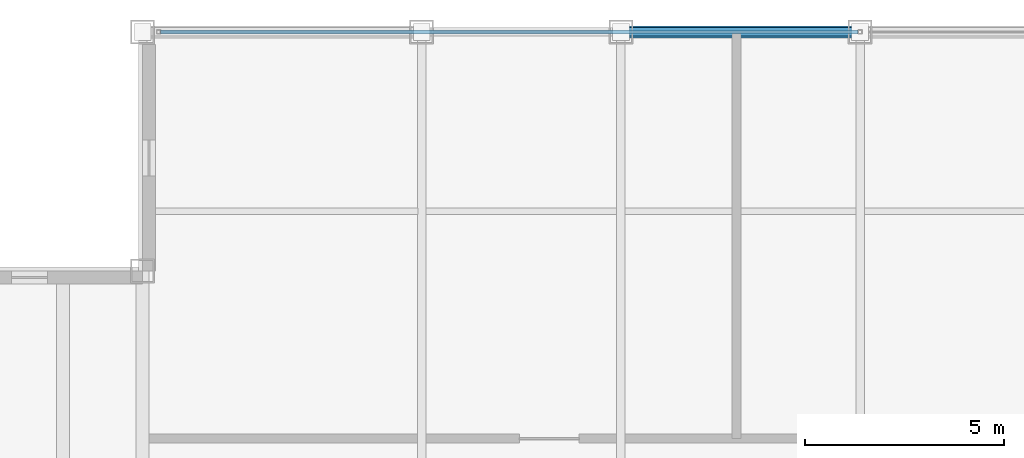
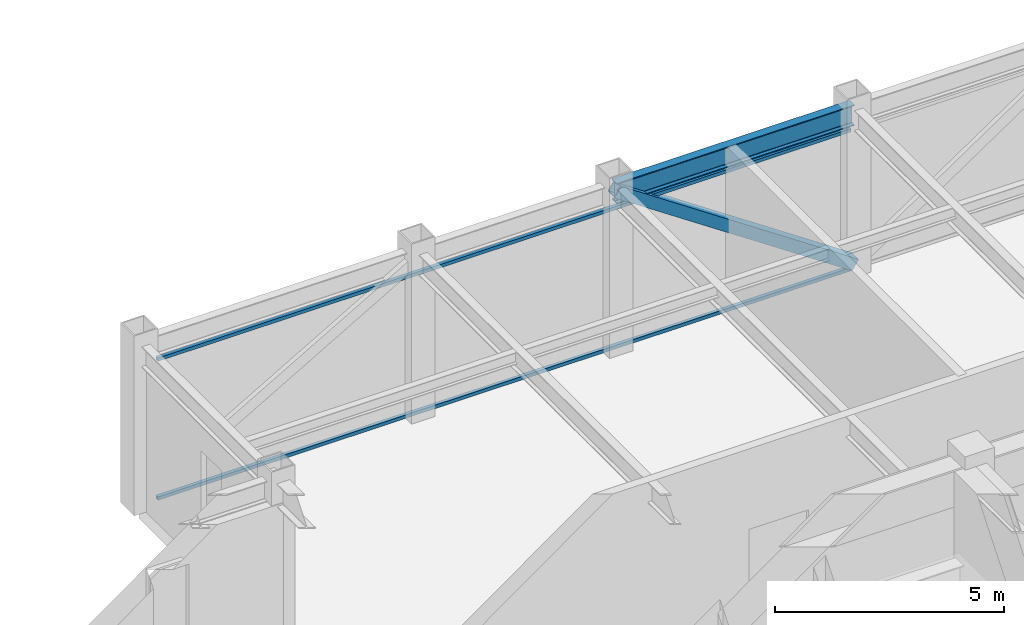
# One storey, part 17 of 27: 3 members, 1 beam, 1 element without a shape of its own.
"""IFC4 building model written with IfcOpenShell, lengths in metres."""

from ifc_helpers import new_model, si_unit, direction, frame, origin, origin_2d, place, context, subcontext, project, spatial, hollow_rectangle, i_section, extrude, source, transform, mapped, material, material_profile, profile_set, type_object, element, aggregate, save


model = new_model("IFC4")

# Units and contexts
model_context = context("Model", 3, precision=1e-05, world=origin(), true_north=direction((0.0, 1.0)))
body_context = subcontext(model_context, "Body", "Model", "MODEL_VIEW")
ifc_project = project(units=[si_unit("LENGTHUNIT", "METRE"), si_unit("AREAUNIT", "SQUARE_METRE"), si_unit("VOLUMEUNIT", "CUBIC_METRE"), si_unit("PLANEANGLEUNIT", "RADIAN"), si_unit("MASSUNIT", "GRAM", prefix="KILO")], contexts=[model_context])

# Site, building, storey
site_placement = place(None, origin())
site = spatial("IfcSite", under=ifc_project, at=site_placement, CompositionType="ELEMENT")
building_placement = place(site_placement, origin())
building = spatial("IfcBuilding", under=site, at=building_placement, Name="Khorayat Bourse Tower", CompositionType="ELEMENT")
storey_placement = place(building_placement, frame((0.0, 0.0, 389.89990234375)))
storey = spatial("IfcBuildingStorey", under=building, at=storey_placement, Name="L92", CompositionType="ELEMENT", Elevation=389.89990234375)

# Beam
ifc_material_1 = material(Name="Steel ASTM A992 Grade 50", Category="steel")
ifc_material_profile_1 = material_profile(ifc_material_1, i_section(OverallWidth=0.214111328125, OverallDepth=0.549072265625, WebThickness=0.0146484375, FlangeThickness=0.023681640625, FilletRadius=0.013916015625, at=origin_2d()), Name="W530X138")
ifc_profile_set_1 = profile_set([ifc_material_profile_1], Name="Steel ASTM A992 Grade 50")
beam_type = type_object("IfcBeamType", Name="BM-SPAN-530", PredefinedType="SPANDREL", material=ifc_profile_set_1)
shared_shape_1 = source(origin(), body_context, "Body", "SweptSolid", [
    extrude(i_section(OverallWidth=0.214111328125, OverallDepth=0.549072265625, WebThickness=0.0146484375, FlangeThickness=0.023681640625, FilletRadius=0.013916015625, at=origin_2d()), origin(), (0.0, 0.0, 1.0), 6.0),
])
beam_placement = place(storey_placement, frame((-6.0, 24.0, 4.175537109375), z_axis=(1.0, 0.0, 0.0), x_axis=(0.0, 1.0, 0.0)))
element("IfcBeam", 1, at=beam_placement, inside=storey, type_object=beam_type, Name="L92 BM-SPAN-530 BM-L92-SPN-043", PredefinedType="SPANDREL", context=body_context, shape_type="MappedRepresentation", body=[
    mapped(shared_shape_1, transform((0.0, 0.0, 0.0), scale=1.0)),
])

# Member
ifc_material_2 = material(Name="Steel EN 10025-2 S355J2", Category="steel")
ifc_material_profile_2 = material_profile(ifc_material_2, hollow_rectangle(XDim=0.300048828125, YDim=0.300048828125, WallThickness=0.01611328125, at=origin_2d()), Name="HSS 300x300x16")
ifc_profile_set_2 = profile_set([ifc_material_profile_2], Name="Steel EN 10025-2 S355J2")
member_type_1 = type_object("IfcMemberType", Name="MBR-CROWN-300", PredefinedType="USERDEFINED", material=ifc_profile_set_2)
shared_shape_2 = source(origin(), body_context, "Body", "SweptSolid", [
    extrude(hollow_rectangle(XDim=0.300048828125, YDim=0.300048828125, WallThickness=0.01611328125, at=origin_2d()), origin(), (0.0, 0.0, 1.0), 7.23876953125),
])
member_1_placement = place(storey_placement, frame((-6.0, 24.0, 4.25), z_axis=(0.828861185526, 0.0, -0.559454319072), x_axis=(0.0, 1.0, 0.0)))
element("IfcMember", 2, at=member_1_placement, inside=storey, type_object=member_type_1, Name="L92 Lantern Crown Frame Member 06", ObjectType="CROWN FRAME", PredefinedType="USERDEFINED", context=body_context, shape_type="MappedRepresentation", body=[
    mapped(shared_shape_2, transform((0.0, 0.0, 0.0), scale=1.0)),
])

# Curtain wall, members
ifc_material_3 = material(Name="Aluminium EN AW-6063 T6", Category="aluminium")
curtain_wall_type = type_object("IfcCurtainWallType", Name="CW-SYS-07", PredefinedType="NOTDEFINED", material=ifc_material_3)
curtain_wall_placement = place(storey_placement, origin())
curtain_wall = element("IfcCurtainWall", 3, at=curtain_wall_placement, inside=storey, type_object=curtain_wall_type, Name="L92 Curtain Wall CW-L92-N1", PredefinedType="NOTDEFINED")
ifc_material_profile_3 = material_profile(ifc_material_3, hollow_rectangle(XDim=0.090087890625, YDim=0.090087890625, WallThickness=0.00390625, at=origin_2d()), Name="ALU 90x90x4")
ifc_profile_set_3 = profile_set([ifc_material_profile_3], Name="Aluminium EN AW-6063 T6")
member_type_2 = type_object("IfcMemberType", Name="CWT-HORZ-90", PredefinedType="USERDEFINED", material=ifc_profile_set_3)
shared_shape_3 = source(origin(), body_context, "Body", "SweptSolid", [
    extrude(hollow_rectangle(XDim=0.090087890625, YDim=0.090087890625, WallThickness=0.00390625, at=origin_2d()), origin(), (0.0, 0.0, 1.0), 17.5),
])
member_2_placement = place(storey_placement, frame((-17.550048828125, 24.0, 0.045166015625), z_axis=(1.0, 0.0, 0.0), x_axis=(0.0, 1.0, 0.0)))
member_2 = element("IfcMember", 4, at=member_2_placement, type_object=member_type_2, Name="CW-L92-N1 Horizontal Transom 1-1", ObjectType="TRANSOM", PredefinedType="USERDEFINED", context=body_context, shape_type="MappedRepresentation", body=[
    mapped(shared_shape_3, transform((0.0, 0.0, 0.0), scale=1.0)),
])
member_3_placement = place(storey_placement, frame((-17.550048828125, 24.0, 3.755126953125), z_axis=(1.0, 0.0, 0.0), x_axis=(0.0, 1.0, 0.0)))
member_3 = element("IfcMember", 5, at=member_3_placement, type_object=member_type_2, Name="CW-L92-N1 Horizontal Transom 1-2", ObjectType="TRANSOM", PredefinedType="USERDEFINED", context=body_context, shape_type="MappedRepresentation", body=[
    mapped(shared_shape_3, transform((0.0, 0.0, 0.0), scale=1.0)),
])
aggregate(curtain_wall, [member_2, member_3])

save(model, "model.ifc")
